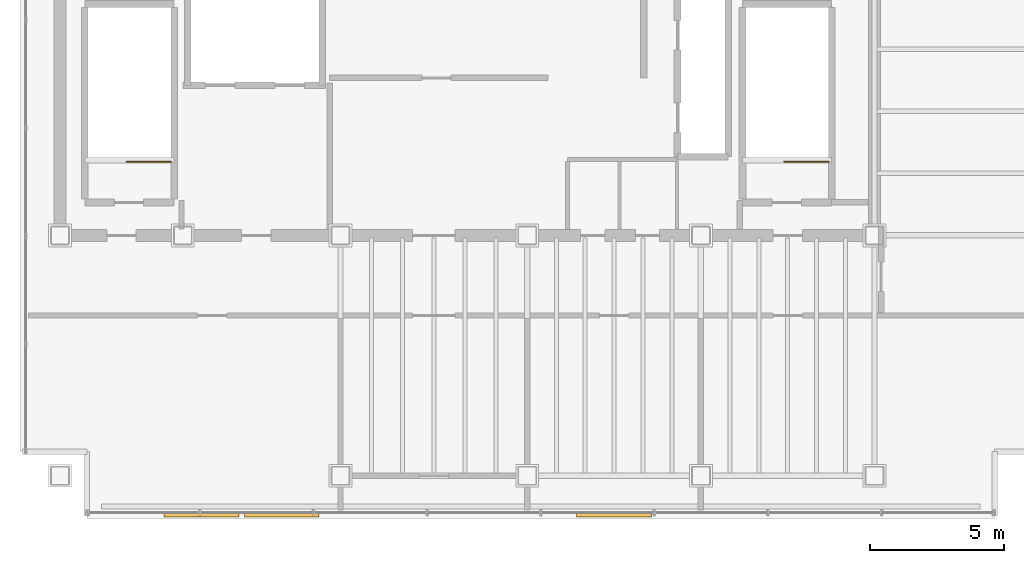
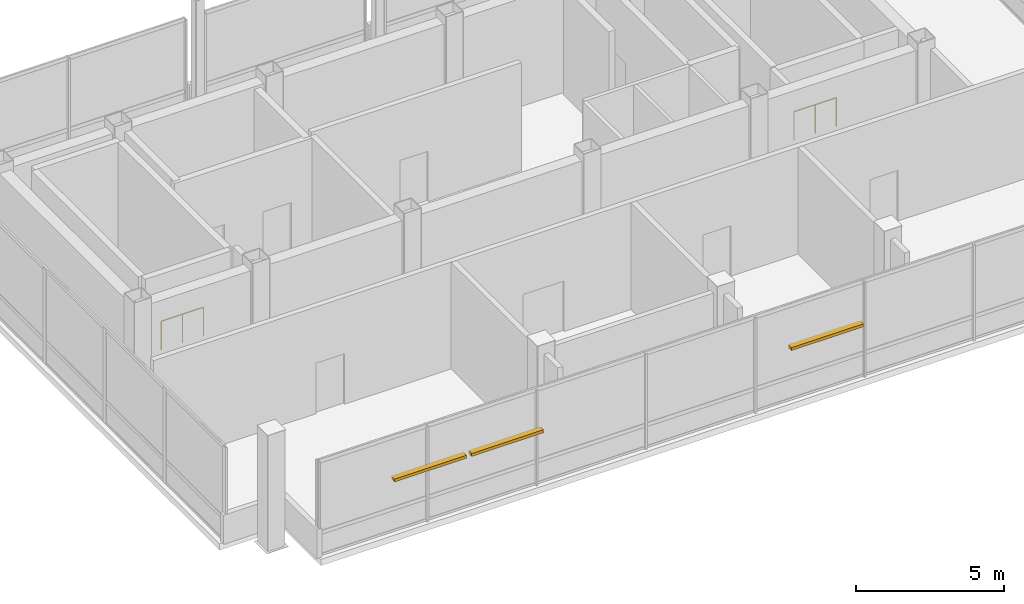
# One storey, part 20 of 20: 3 shading devices, 2 railings.
"""IFC4 building model written with IfcOpenShell, lengths in metres."""

from ifc_helpers import new_model, si_unit, direction, frame, origin, origin_2d, place, context, subcontext, project, spatial, rectangle, circle, extrude, material, layer, layer_set, type_object, element, save


model = new_model("IFC4")

# Units and contexts
model_context = context("Model", 3, precision=1e-05, world=origin(), true_north=direction((0.0, 1.0)))
body_context = subcontext(model_context, "Body", "Model", "MODEL_VIEW")
ifc_project = project(units=[si_unit("LENGTHUNIT", "METRE"), si_unit("AREAUNIT", "SQUARE_METRE"), si_unit("VOLUMEUNIT", "CUBIC_METRE"), si_unit("PLANEANGLEUNIT", "RADIAN"), si_unit("MASSUNIT", "GRAM", prefix="KILO")], contexts=[model_context])

# Site, building, storey
site_placement = place(None, origin())
site = spatial("IfcSite", under=ifc_project, at=site_placement, CompositionType="ELEMENT")
building_placement = place(site_placement, origin())
building = spatial("IfcBuilding", under=site, at=building_placement, Name="Noeulbin Bourse Tower", CompositionType="ELEMENT")
storey_placement = place(building_placement, frame((0.0, 0.0, 312.60009765625)))
storey = spatial("IfcBuildingStorey", under=building, at=storey_placement, Name="L77", CompositionType="ELEMENT", Elevation=312.60009765625)

# Railings
ifc_material_1 = material(Name="Painted Tubular Steel S355", Category="steel")
ifc_layer_1 = layer(ifc_material_1, 0.048095703125)
ifc_layer_set_1 = layer_set([ifc_layer_1], Name="Painted Tubular Steel S355")
railing_type = type_object("IfcRailingType", Name="RLG-STR-GRD", PredefinedType="GUARDRAIL", material=ifc_layer_set_1)
railing_1_placement = place(storey_placement, frame((17.64990234375, 31.760009765625, 0.0)))
element("IfcRailing", 1, at=railing_1_placement, inside=storey, type_object=railing_type, Name="L77 ST-1 top well guard 1", PredefinedType="GUARDRAIL", context=body_context, shape_type="SweptSolid", body=[
    extrude(circle(Radius=0.02392578125, at=origin_2d()), frame((0.0, 0.0, 1.17578125), z_axis=(-1.0, 0.0, 0.0), x_axis=(0.0, -1.0, 0.0)), (0.0, 0.0, 1.0), 1.64990234375),
    extrude(circle(Radius=0.02099609375, at=origin_2d()), origin(), (0.0, 0.0, 1.0), 1.15185546875),
    extrude(circle(Radius=0.02099609375, at=origin_2d()), frame((-0.824951171875, 0.0, 0.0)), (0.0, 0.0, 1.0), 1.15185546875),
    extrude(circle(Radius=0.02099609375, at=origin_2d()), frame((-1.64990234375, 0.0, 0.0)), (0.0, 0.0, 1.0), 1.15185546875),
])
railing_2_placement = place(storey_placement, frame((42.280029296875, 31.760009765625, 0.0)))
element("IfcRailing", 2, at=railing_2_placement, inside=storey, type_object=railing_type, Name="L77 ST-2 top well guard 1", PredefinedType="GUARDRAIL", context=body_context, shape_type="SweptSolid", body=[
    extrude(circle(Radius=0.02392578125, at=origin_2d()), frame((0.0, 0.0, 1.17578125), z_axis=(-1.0, 0.0, 0.0), x_axis=(0.0, -1.0, 0.0)), (0.0, 0.0, 1.0), 1.650146484375),
    extrude(circle(Radius=0.02099609375, at=origin_2d()), origin(), (0.0, 0.0, 1.0), 1.15185546875),
    extrude(circle(Radius=0.02099609375, at=origin_2d()), frame((-0.8251953125, 0.0, 0.0)), (0.0, 0.0, 1.0), 1.15185546875),
    extrude(circle(Radius=0.02099609375, at=origin_2d()), frame((-1.650146484375, 0.0, 0.0)), (0.0, 0.0, 1.0), 1.15185546875),
])

# Shading devices
ifc_material_2 = material(Name="Fluoropolymer Coated Aluminium 6063-T6", Category="aluminium")
ifc_layer_2 = layer(ifc_material_2, 0.1201171875)
ifc_layer_set_2 = layer_set([ifc_layer_2], Name="Fluoropolymer Coated Aluminium 6063-T6")
shading_device_type = type_object("IfcShadingDeviceType", Name="SHD-LVR-300", PredefinedType="USERDEFINED", material=ifc_layer_set_2)
for number, where, z_axis, x_axis, name in (
    (3, (18.800048828125, 18.56005859375, 2.139892578125), (0.0, 0.0, 1.0), (1.0, 0.0, 0.0), "Intake Weather Louvre LV-L77-1"),
    (4, (21.800048828125, 18.56005859375, 2.139892578125), (0.0, 0.0, 1.0), (1.0, 0.0, 0.0), "Intake Weather Louvre LV-L77-2"),
    (5, (34.25, 18.56005859375, 2.139892578125), (0.0, 0.0, 1.0), (1.0, 0.0, 0.0), "Intake Weather Louvre LV-L77-3"),
):
    element("IfcShadingDevice", number, at=place(storey_placement, frame(where, z_axis=z_axis, x_axis=x_axis)), inside=storey, type_object=shading_device_type, Name=name, ObjectType="LOUVRE", PredefinedType="USERDEFINED", context=body_context, shape_type="SweptSolid", body=[
        extrude(rectangle(XDim=2.800048828125, YDim=0.219970703125, at=origin_2d()), origin(), (0.0, 0.0, 1.0), 0.1201171875),
    ])

save(model, "model.ifc")
